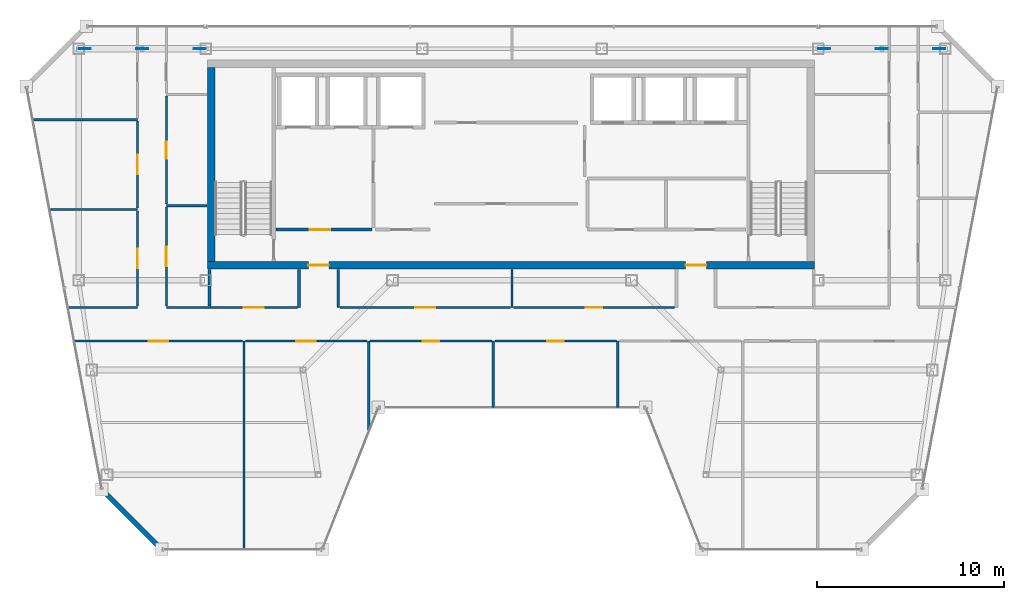
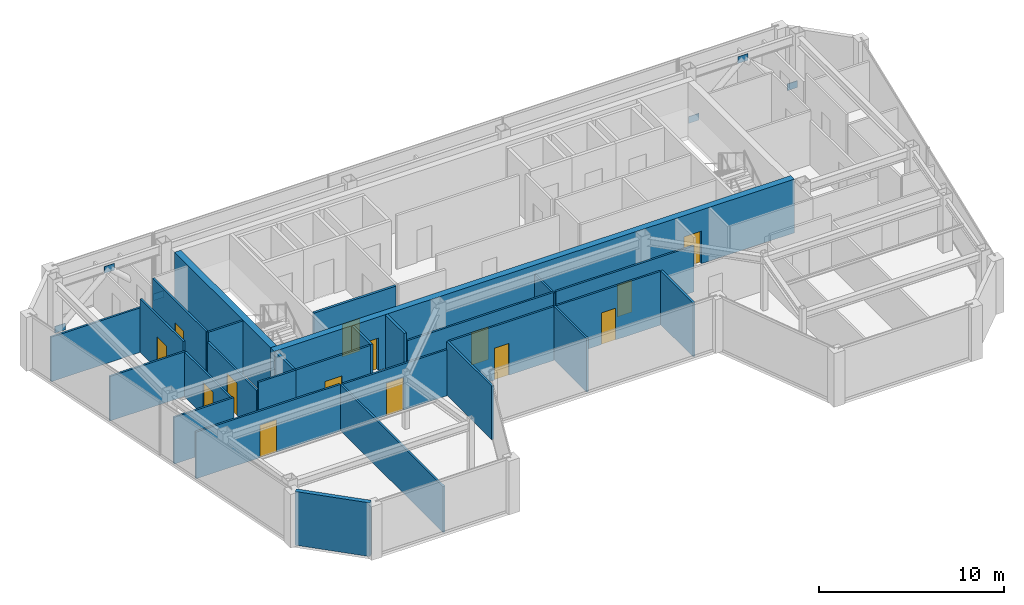
# One storey, part 18 of 23: 28 walls, 14 doors, 6 plates, 14 openings.
"""IFC4 building model written with IfcOpenShell, lengths in metres."""

from ifc_helpers import new_model, si_unit, direction, frame, frame_2d, origin, origin_2d, place, context, subcontext, project, spatial, rectangle, extrude, material, layer, layer_set, type_object, element, fill, save


model = new_model("IFC4")

# Units and contexts
model_context = context("Model", 3, precision=1e-05, world=origin(), true_north=direction((0.0, 1.0)))
body_context = subcontext(model_context, "Body", "Model", "MODEL_VIEW")
ifc_project = project(units=[si_unit("LENGTHUNIT", "METRE"), si_unit("AREAUNIT", "SQUARE_METRE"), si_unit("VOLUMEUNIT", "CUBIC_METRE"), si_unit("PLANEANGLEUNIT", "RADIAN"), si_unit("MASSUNIT", "GRAM", prefix="KILO")], contexts=[model_context])

# Site, building, storey
site_placement = place(None, origin())
site = spatial("IfcSite", under=ifc_project, at=site_placement, CompositionType="ELEMENT")
building_placement = place(site_placement, origin())
building = spatial("IfcBuilding", under=site, at=building_placement, Name="Saevonmaru Cultural Tower", CompositionType="ELEMENT")
storey_placement = place(building_placement, frame((0.0, 0.0, 283.800048828125)))
storey = spatial("IfcBuildingStorey", under=building, at=storey_placement, Name="L67", CompositionType="ELEMENT", Elevation=283.800048828125)

# Plates
ifc_material_1 = material(Name="Steel HSA600 (600 MPa)", Category="steel")
ifc_layer_1 = layer(ifc_material_1, 0.0400390625, Name="Steel HSA600 (600 MPa)")
ifc_layer_set_1 = layer_set([ifc_layer_1], Name="Steel HSA600 (600 MPa)")
plate_type = type_object("IfcPlateType", Name="PL-GUSSET-EXT", PredefinedType="USERDEFINED", material=ifc_layer_set_1)
for number, where, z_axis, x_axis, name in (
    (1, (10.199951171875, 54.800048828125, 2.89990234375), (0.0, 0.0, 1.0), (1.0, 0.0, 0.0), "L67 Perimeter Tube Gusset Plate"),
    (2, (7.1201171875, 54.800048828125, 0.02001953125), (0.0, 0.0, 1.0), (1.0, 0.0, 0.0), "L67 Perimeter Tube Gusset Plate"),
    (3, (13.280029296875, 54.800048828125, 0.02001953125), (0.0, 0.0, 1.0), (1.0, 0.0, 0.0), "L67 Perimeter Tube Gusset Plate"),
    (4, (49.800048828125, 54.800048828125, 2.89990234375), (0.0, 0.0, 1.0), (1.0, 0.0, 0.0), "L67 Perimeter Tube Gusset Plate"),
    (5, (46.719970703125, 54.800048828125, 0.02001953125), (0.0, 0.0, 1.0), (1.0, 0.0, 0.0), "L67 Perimeter Tube Gusset Plate"),
    (6, (52.8798828125, 54.800048828125, 0.02001953125), (0.0, 0.0, 1.0), (1.0, 0.0, 0.0), "L67 Perimeter Tube Gusset Plate"),
):
    element("IfcPlate", number, at=place(storey_placement, frame(where, z_axis=z_axis, x_axis=x_axis)), inside=storey, type_object=plate_type, Name=name, ObjectType="GUSSET_PLATE", PredefinedType="USERDEFINED", context=body_context, shape_type="SweptSolid", body=[
        extrude(rectangle(XDim=0.639892578125, YDim=0.0400390625, at=origin_2d()), origin(), (0.0, 0.0, 1.0), 0.43994140625),
    ])

# Wall, openings, doors
ifc_material_2 = material(Name="Concrete C50/60", Category="concrete")
ifc_layer_2 = layer(ifc_material_2, 0.39990234375, Name="Concrete C50/60")
ifc_layer_set_2 = layer_set([ifc_layer_2], Name="Concrete C50/60")
wall_type_1 = type_object("IfcWallType", Name="WL-CORE-400", PredefinedType="SHEAR", material=ifc_layer_set_2)
wall_1_placement = place(storey_placement, frame((13.699951171875, 43.199951171875, 0.0), z_axis=(0.0, 0.0, 1.0), x_axis=(1.0, 0.0, 0.0)))
wall_1 = element("IfcWall", 7, at=wall_1_placement, inside=storey, type_object=wall_type_1, Name="L67 Tower RC core shear wall S", PredefinedType="SHEAR", context=body_context, shape_type="SweptSolid", body=[
    extrude(rectangle(XDim=32.5, YDim=0.39990234375, at=frame_2d((16.25, 0.0))), origin(), (0.0, 0.0, 1.0), 3.550048828125),
])
opening_1_placement = place(wall_1_placement, frame((5.39990234375, 0.0, 0.0)))
opening_1 = element("IfcOpeningElement", 8, at=opening_1_placement, cuts=wall_1, Name="Opening FD-2", PredefinedType="OPENING", context=body_context, shape_type="SweptSolid", body=[
    extrude(rectangle(XDim=1.10009765625, YDim=2.14990234375, at=frame_2d((0.550048828125, 1.074951171875))), frame((0.0, 0.2099609375, 0.0), z_axis=(0.0, -1.0, 0.0), x_axis=(1.0, 0.0, 0.0)), (0.0, 0.0, 1.0), 0.419921875),
])
opening_2_placement = place(wall_1_placement, frame((25.60009765625, 0.0, 0.0)))
opening_2 = element("IfcOpeningElement", 9, at=opening_2_placement, cuts=wall_1, Name="Opening FD-2", PredefinedType="OPENING", context=body_context, shape_type="SweptSolid", body=[
    extrude(rectangle(XDim=1.10009765625, YDim=2.14990234375, at=frame_2d((0.550048828125, 1.074951171875))), frame((0.0, 0.2099609375, 0.0), z_axis=(0.0, -1.0, 0.0), x_axis=(1.0, 0.0, 0.0)), (0.0, 0.0, 1.0), 0.419921875),
])
ifc_material_3 = material(Name="Satin Bronze Anodised Aluminium", Category="aluminium")
door_type_1 = type_object("IfcDoorType", Name="DR-FD60-1100", OperationType="SINGLE_SWING_LEFT", PredefinedType="DOOR", material=ifc_material_3)
door_1_placement = place(opening_1_placement, origin())
door_1 = element("IfcDoor", 10, at=door_1_placement, inside=storey, type_object=door_type_1, Name="L67 Core West Lobby Fire Door", OperationType="SINGLE_SWING_LEFT", OverallHeight=2.14990234375, OverallWidth=1.10009765625, PredefinedType="DOOR", context=body_context, shape_type="SweptSolid", body=[
    extrude(rectangle(XDim=1.10009765625, YDim=2.14990234375, at=frame_2d((0.550048828125, 1.074951171875))), frame((0.0, 0.02490234375, 0.0), z_axis=(0.0, -1.0, 0.0), x_axis=(1.0, 0.0, 0.0)), (0.0, 0.0, 1.0), 0.050048828125),
])
fill(opening_1, door_1)
door_2_placement = place(opening_2_placement, origin())
door_2 = element("IfcDoor", 11, at=door_2_placement, inside=storey, type_object=door_type_1, Name="L67 Core East Lobby Fire Door", OperationType="SINGLE_SWING_LEFT", OverallHeight=2.14990234375, OverallWidth=1.10009765625, PredefinedType="DOOR", context=body_context, shape_type="SweptSolid", body=[
    extrude(rectangle(XDim=1.10009765625, YDim=2.14990234375, at=frame_2d((0.550048828125, 1.074951171875))), frame((0.0, 0.02490234375, 0.0), z_axis=(0.0, -1.0, 0.0), x_axis=(1.0, 0.0, 0.0)), (0.0, 0.0, 1.0), 0.050048828125),
])
fill(opening_2, door_2)

# Wall
wall_2_placement = place(storey_placement, frame((13.89990234375, 43.39990234375, 0.0), z_axis=(0.0, 0.0, 1.0), x_axis=(0.0, 1.0, 0.0)))
element("IfcWall", 12, at=wall_2_placement, inside=storey, type_object=wall_type_1, Name="L67 Tower RC core shear wall W", PredefinedType="SHEAR", context=body_context, shape_type="SweptSolid", body=[
    extrude(rectangle(XDim=10.400146484375, YDim=0.39990234375, at=frame_2d((5.2001953125, 0.0))), origin(), (0.0, 0.0, 1.0), 3.550048828125),
])

# Wall, opening, door
ifc_material_4 = material(Name="Gypsum Fireboard Partition", Category="gypsum")
ifc_layer_3 = layer(ifc_material_4, 0.14990234375, Name="Gypsum Fireboard Partition")
ifc_layer_set_3 = layer_set([ifc_layer_3], Name="Gypsum Fireboard Partition")
wall_type_2 = type_object("IfcWallType", Name="WL-CORE-PART-150", PredefinedType="PARTITIONING", material=ifc_layer_set_3)
wall_3_placement = place(storey_placement, frame((17.360107421875, 45.1201171875, 0.0), z_axis=(0.0, 0.0, 1.0), x_axis=(1.0, 0.0, 0.0)))
wall_3 = element("IfcWall", 13, at=wall_3_placement, inside=storey, type_object=wall_type_2, Name="L67 Firefighting Lift Lobby South Wall", PredefinedType="PARTITIONING", context=body_context, shape_type="SweptSolid", body=[
    extrude(rectangle(XDim=5.139892578125, YDim=0.14990234375, at=frame_2d((2.56982421875, 0.0))), origin(), (0.0, 0.0, 1.0), 3.550048828125),
])
opening_3_placement = place(wall_3_placement, frame((1.800048828125, 0.0, 0.0)))
opening_3 = element("IfcOpeningElement", 14, at=opening_3_placement, cuts=wall_3, Name="Opening FD-2", PredefinedType="OPENING", context=body_context, shape_type="SweptSolid", body=[
    extrude(rectangle(XDim=1.10009765625, YDim=2.14990234375, at=frame_2d((0.550048828125, 1.074951171875))), frame((0.0, 0.0849609375, 0.0), z_axis=(0.0, -1.0, 0.0), x_axis=(1.0, 0.0, 0.0)), (0.0, 0.0, 1.0), 0.169921875),
])
door_3_placement = place(opening_3_placement, origin())
door_3 = element("IfcDoor", 15, at=door_3_placement, inside=storey, type_object=door_type_1, Name="L67 Firefighting Lift Lobby South Door", OperationType="SINGLE_SWING_LEFT", OverallHeight=2.14990234375, OverallWidth=1.10009765625, PredefinedType="DOOR", context=body_context, shape_type="SweptSolid", body=[
    extrude(rectangle(XDim=1.10009765625, YDim=2.14990234375, at=frame_2d((0.550048828125, 1.074951171875))), frame((0.0, 0.02490234375, 0.0), z_axis=(0.0, -1.0, 0.0), x_axis=(1.0, 0.0, 0.0)), (0.0, 0.0, 1.0), 0.050048828125),
])
fill(opening_3, door_3)

# Walls
ifc_material_5 = material(Name="Granite-Clad Precast Concrete C40/50", Category="masonry")
ifc_layer_4 = layer(ifc_material_5, 0.260009765625, Name="Granite-Clad Precast Concrete C40/50")
ifc_layer_set_4 = layer_set([ifc_layer_4], Name="Granite-Clad Precast Concrete C40/50")
wall_type_3 = type_object("IfcWallType", Name="WL-EXT-SPANDREL-260", PredefinedType="STANDARD", material=ifc_layer_set_4)
wall_4_placement = place(storey_placement, frame((8.157470703125, 31.0869140625, 0.0), z_axis=(0.0, 0.0, 1.0), x_axis=(0.707106781187, -0.707106781187, 0.0)))
element("IfcWall", 16, at=wall_4_placement, inside=storey, type_object=wall_type_3, Name="L67 Chamfer Corner Spandrel Wall E1", PredefinedType="STANDARD", context=body_context, shape_type="SweptSolid", body=[
    extrude(rectangle(XDim=4.205810546875, YDim=0.260009765625, at=frame_2d((2.10302734375, 0.0))), origin(), (0.0, 0.0, 1.0), 3.550048828125),
])
ifc_layer_5 = layer(ifc_material_4, 0.14990234375, Name="Gypsum Fireboard Partition")
ifc_layer_set_5 = layer_set([ifc_layer_5], Name="Gypsum Fireboard Partition")
wall_type_4 = type_object("IfcWallType", Name="WL-PART-FIRE-150", PredefinedType="PARTITIONING", material=ifc_layer_set_5)
wall_5_placement = place(storey_placement, frame((13.800048828125, 41.030029296875, 0.0), z_axis=(0.0, 0.0, 1.0), x_axis=(0.0, 1.0, 0.0)))
element("IfcWall", 17, at=wall_5_placement, inside=storey, type_object=wall_type_4, Name="L67 Core Portal Side Wall W0", PredefinedType="PARTITIONING", context=body_context, shape_type="SweptSolid", body=[
    extrude(rectangle(XDim=1.949951171875, YDim=0.14990234375, at=frame_2d((0.97509765625, 0.0))), origin(), (0.0, 0.0, 1.0), 3.550048828125),
])
for number, where, z_axis, x_axis, name in (
    (18, (18.60009765625, 40.949951171875, 0.0), (0.0, 0.0, 1.0), (0.0, 1.0, 0.0), "L67 Core Portal Side Wall W1"),
    (19, (20.699951171875, 40.949951171875, 0.0), (0.0, 0.0, 1.0), (0.0, 1.0, 0.0), "L67 Core Portal Side Wall W2"),
):
    element("IfcWall", number, at=place(storey_placement, frame(where, z_axis=z_axis, x_axis=x_axis)), inside=storey, type_object=wall_type_4, Name=name, PredefinedType="PARTITIONING", context=body_context, shape_type="SweptSolid", body=[
        extrude(rectangle(XDim=2.030029296875, YDim=0.14990234375, at=frame_2d((1.01513671875, 0.0))), origin(), (0.0, 0.0, 1.0), 3.550048828125),
    ])
ifc_layer_6 = layer(ifc_material_4, 0.1201171875, Name="Gypsum Fireboard Partition")
ifc_layer_set_6 = layer_set([ifc_layer_6], Name="Gypsum Fireboard Partition")
wall_type_5 = type_object("IfcWallType", Name="WL-PART-GYP-120", PredefinedType="PARTITIONING", material=ifc_layer_set_6)
wall_6_placement = place(storey_placement, frame((6.223876953125, 40.949951171875, 0.0), z_axis=(0.0, 0.0, 1.0), x_axis=(1.0, 0.0, 0.0)))
element("IfcWall", 20, at=wall_6_placement, inside=storey, type_object=wall_type_5, Name="L67 NW Wing South Wall", PredefinedType="PARTITIONING", context=body_context, shape_type="SweptSolid", body=[
    extrude(rectangle(XDim=3.72607421875, YDim=0.1201171875, at=frame_2d((1.863037109375, 0.0))), origin(), (0.0, 0.0, 1.0), 3.0849609375),
])
wall_7_placement = place(storey_placement, frame((11.5, 40.949951171875, 0.0), z_axis=(0.0, 0.0, 1.0), x_axis=(1.0, 0.0, 0.0)))
element("IfcWall", 21, at=wall_7_placement, inside=storey, type_object=wall_type_5, Name="L67 NW Inner South Wall", PredefinedType="PARTITIONING", context=body_context, shape_type="SweptSolid", body=[
    extrude(rectangle(XDim=2.35009765625, YDim=0.1201171875, at=frame_2d((1.175048828125, 0.0))), origin(), (0.0, 0.0, 1.0), 3.550048828125),
])
wall_8_placement = place(storey_placement, frame((5.240966796875, 46.199951171875, 0.0), z_axis=(0.0, 0.0, 1.0), x_axis=(1.0, 0.0, 0.0)))
element("IfcWall", 22, at=wall_8_placement, inside=storey, type_object=wall_type_5, Name="L67 NW Studio Divider 1", PredefinedType="PARTITIONING", context=body_context, shape_type="SweptSolid", body=[
    extrude(rectangle(XDim=4.708984375, YDim=0.1201171875, at=frame_2d((2.3544921875, 0.0))), origin(), (0.0, 0.0, 1.0), 2.947021484375),
])
wall_9_placement = place(storey_placement, frame((4.342041015625, 51.0, 0.0), z_axis=(0.0, 0.0, 1.0), x_axis=(1.0, 0.0, 0.0)))
element("IfcWall", 23, at=wall_9_placement, inside=storey, type_object=wall_type_5, Name="L67 NW Studio Divider 2", PredefinedType="PARTITIONING", context=body_context, shape_type="SweptSolid", body=[
    extrude(rectangle(XDim=5.60791015625, YDim=0.1201171875, at=frame_2d((2.803955078125, 0.0))), origin(), (0.0, 0.0, 1.0), 2.947021484375),
])

# Wall, opening, door
wall_10_placement = place(storey_placement, frame((9.949951171875, 41.030029296875, 0.0), z_axis=(0.0, 0.0, 1.0), x_axis=(0.0, 1.0, 0.0)))
wall_10 = element("IfcWall", 24, at=wall_10_placement, inside=storey, type_object=wall_type_5, Name="L67 Rare Folio Reading Room Corridor Wall", PredefinedType="PARTITIONING", context=body_context, shape_type="SweptSolid", body=[
    extrude(rectangle(XDim=5.090087890625, YDim=0.1201171875, at=frame_2d((2.544921875, 0.0))), origin(), (0.0, 0.0, 1.0), 2.947021484375),
])
opening_4_placement = place(wall_10_placement, frame((2.02001953125, 0.0, 0.0)))
opening_4 = element("IfcOpeningElement", 25, at=opening_4_placement, cuts=wall_10, Name="Opening ID-1", PredefinedType="OPENING", context=body_context, shape_type="SweptSolid", body=[
    extrude(rectangle(XDim=1.050048828125, YDim=2.14990234375, at=frame_2d((0.52490234375, 1.074951171875))), frame((0.0, 0.070068359375, 0.0), z_axis=(0.0, -1.0, 0.0), x_axis=(1.0, 0.0, 0.0)), (0.0, 0.0, 1.0), 0.14013671875),
])
door_type_2 = type_object("IfcDoorType", Name="DR-INT-1050", OperationType="SINGLE_SWING_LEFT", PredefinedType="DOOR", material=ifc_material_3)
door_4_placement = place(opening_4_placement, origin())
door_4 = element("IfcDoor", 26, at=door_4_placement, inside=storey, type_object=door_type_2, Name="L67 Rare Folio Reading Room Door", OperationType="SINGLE_SWING_RIGHT", OverallHeight=2.14990234375, OverallWidth=1.050048828125, PredefinedType="DOOR", context=body_context, shape_type="SweptSolid", body=[
    extrude(rectangle(XDim=1.050048828125, YDim=2.14990234375, at=frame_2d((0.52490234375, 1.074951171875))), frame((0.0, 0.02490234375, 0.0), z_axis=(0.0, -1.0, 0.0), x_axis=(1.0, 0.0, 0.0)), (0.0, 0.0, 1.0), 0.050048828125),
])
fill(opening_4, door_4)

wall_11_placement = place(storey_placement, frame((9.949951171875, 46.280029296875, 0.0), z_axis=(0.0, 0.0, 1.0), x_axis=(0.0, 1.0, 0.0)))
wall_11 = element("IfcWall", 27, at=wall_11_placement, inside=storey, type_object=wall_type_5, Name="L67 Art History Reading Room Corridor Wall", PredefinedType="PARTITIONING", context=body_context, shape_type="SweptSolid", body=[
    extrude(rectangle(XDim=4.639892578125, YDim=0.1201171875, at=frame_2d((2.31982421875, 0.0))), origin(), (0.0, 0.0, 1.0), 3.550048828125),
])
opening_5_placement = place(wall_11_placement, frame((1.794921875, 0.0, 0.0)))
opening_5 = element("IfcOpeningElement", 28, at=opening_5_placement, cuts=wall_11, Name="Opening ID-1", PredefinedType="OPENING", context=body_context, shape_type="SweptSolid", body=[
    extrude(rectangle(XDim=1.050048828125, YDim=2.14990234375, at=frame_2d((0.52490234375, 1.074951171875))), frame((0.0, 0.070068359375, 0.0), z_axis=(0.0, -1.0, 0.0), x_axis=(1.0, 0.0, 0.0)), (0.0, 0.0, 1.0), 0.14013671875),
])
door_5_placement = place(opening_5_placement, origin())
door_5 = element("IfcDoor", 29, at=door_5_placement, inside=storey, type_object=door_type_2, Name="L67 Art History Reading Room Door", OperationType="SINGLE_SWING_LEFT", OverallHeight=2.14990234375, OverallWidth=1.050048828125, PredefinedType="DOOR", context=body_context, shape_type="SweptSolid", body=[
    extrude(rectangle(XDim=1.050048828125, YDim=2.14990234375, at=frame_2d((0.52490234375, 1.074951171875))), frame((0.0, 0.02490234375, 0.0), z_axis=(0.0, -1.0, 0.0), x_axis=(1.0, 0.0, 0.0)), (0.0, 0.0, 1.0), 0.050048828125),
])
fill(opening_5, door_5)

# Wall
wall_12_placement = place(storey_placement, frame((11.5, 46.39990234375, 0.0), z_axis=(0.0, 0.0, 1.0), x_axis=(1.0, 0.0, 0.0)))
element("IfcWall", 30, at=wall_12_placement, inside=storey, type_object=wall_type_5, Name="L67 NW Inner Divider", PredefinedType="PARTITIONING", context=body_context, shape_type="SweptSolid", body=[
    extrude(rectangle(XDim=2.179931640625, YDim=0.1201171875, at=frame_2d((1.08984375, 0.0))), origin(), (0.0, 0.0, 1.0), 3.550048828125),
])

# Wall, opening, door
wall_13_placement = place(storey_placement, frame((11.5, 41.030029296875, 0.0), z_axis=(0.0, 0.0, 1.0), x_axis=(0.0, 1.0, 0.0)))
wall_13 = element("IfcWall", 31, at=wall_13_placement, inside=storey, type_object=wall_type_5, Name="L67 Art History Reading Room Corridor Wall", PredefinedType="PARTITIONING", context=body_context, shape_type="SweptSolid", body=[
    extrude(rectangle(XDim=5.2900390625, YDim=0.1201171875, at=frame_2d((2.64501953125, 0.0))), origin(), (0.0, 0.0, 1.0), 2.947021484375),
])
opening_6_placement = place(wall_13_placement, frame((2.1201171875, 0.0, 0.0)))
opening_6 = element("IfcOpeningElement", 32, at=opening_6_placement, cuts=wall_13, Name="Opening ID-1", PredefinedType="OPENING", context=body_context, shape_type="SweptSolid", body=[
    extrude(rectangle(XDim=1.050048828125, YDim=2.14990234375, at=frame_2d((0.52490234375, 1.074951171875))), frame((0.0, 0.070068359375, 0.0), z_axis=(0.0, -1.0, 0.0), x_axis=(1.0, 0.0, 0.0)), (0.0, 0.0, 1.0), 0.14013671875),
])
door_6_placement = place(opening_6_placement, origin())
door_6 = element("IfcDoor", 33, at=door_6_placement, inside=storey, type_object=door_type_2, Name="L67 Art History Reading Room Door", OperationType="SINGLE_SWING_LEFT", OverallHeight=2.14990234375, OverallWidth=1.050048828125, PredefinedType="DOOR", context=body_context, shape_type="SweptSolid", body=[
    extrude(rectangle(XDim=1.050048828125, YDim=2.14990234375, at=frame_2d((0.52490234375, 1.074951171875))), frame((0.0, 0.02490234375, 0.0), z_axis=(0.0, -1.0, 0.0), x_axis=(1.0, 0.0, 0.0)), (0.0, 0.0, 1.0), 0.050048828125),
])
fill(opening_6, door_6)

wall_14_placement = place(storey_placement, frame((11.5, 46.47998046875, 0.0), z_axis=(0.0, 0.0, 1.0), x_axis=(0.0, 1.0, 0.0)))
wall_14 = element("IfcWall", 34, at=wall_14_placement, inside=storey, type_object=wall_type_5, Name="L67 Typography Design Classroom Corridor Wall", PredefinedType="PARTITIONING", context=body_context, shape_type="SweptSolid", body=[
    extrude(rectangle(XDim=5.7900390625, YDim=0.1201171875, at=frame_2d((2.89501953125, 0.0))), origin(), (0.0, 0.0, 1.0), 3.550048828125),
])
opening_7_placement = place(wall_14_placement, frame((2.445068359375, 0.0, 0.0)))
opening_7 = element("IfcOpeningElement", 35, at=opening_7_placement, cuts=wall_14, Name="Opening ID-2", PredefinedType="OPENING", context=body_context, shape_type="SweptSolid", body=[
    extrude(rectangle(XDim=0.89990234375, YDim=2.10009765625, at=frame_2d((0.449951171875, 1.050048828125))), frame((0.0, 0.070068359375, 0.0), z_axis=(0.0, -1.0, 0.0), x_axis=(1.0, 0.0, 0.0)), (0.0, 0.0, 1.0), 0.14013671875),
])
ifc_material_6 = material(Name="Acoustic Stained Oak Timber", Category="wood")
door_type_3 = type_object("IfcDoorType", Name="DR-INT-900", OperationType="SINGLE_SWING_RIGHT", PredefinedType="DOOR", material=ifc_material_6)
door_7_placement = place(opening_7_placement, origin())
door_7 = element("IfcDoor", 36, at=door_7_placement, inside=storey, type_object=door_type_3, Name="L67 Typography Design Classroom Door", OperationType="SINGLE_SWING_RIGHT", OverallHeight=2.10009765625, OverallWidth=0.89990234375, PredefinedType="DOOR", context=body_context, shape_type="SweptSolid", body=[
    extrude(rectangle(XDim=0.89990234375, YDim=2.10009765625, at=frame_2d((0.449951171875, 1.050048828125))), frame((0.0, 0.02490234375, 0.0), z_axis=(0.0, -1.0, 0.0), x_axis=(1.0, 0.0, 0.0)), (0.0, 0.0, 1.0), 0.050048828125),
])
fill(opening_7, door_7)

wall_15_placement = place(storey_placement, frame((13.85009765625, 40.949951171875, 0.0), z_axis=(0.0, 0.0, 1.0), x_axis=(1.0, 0.0, 0.0)))
wall_15 = element("IfcWall", 37, at=wall_15_placement, inside=storey, type_object=wall_type_5, Name="L67 Rare Folio Reading Room Corridor Wall", PredefinedType="PARTITIONING", context=body_context, shape_type="SweptSolid", body=[
    extrude(rectangle(XDim=4.65478515625, YDim=0.1201171875, at=frame_2d((2.327392578125, 0.0))), origin(), (0.0, 0.0, 1.0), 3.550048828125),
])
opening_8_placement = place(wall_15_placement, frame((1.802001953125, 0.0, 0.0)))
opening_8 = element("IfcOpeningElement", 38, at=opening_8_placement, cuts=wall_15, Name="Opening ID-1", PredefinedType="OPENING", context=body_context, shape_type="SweptSolid", body=[
    extrude(rectangle(XDim=1.050048828125, YDim=2.14990234375, at=frame_2d((0.52490234375, 1.074951171875))), frame((0.0, 0.070068359375, 0.0), z_axis=(0.0, -1.0, 0.0), x_axis=(1.0, 0.0, 0.0)), (0.0, 0.0, 1.0), 0.14013671875),
])
door_8_placement = place(opening_8_placement, origin())
door_8 = element("IfcDoor", 39, at=door_8_placement, inside=storey, type_object=door_type_2, Name="L67 Rare Folio Reading Room Door", OperationType="SINGLE_SWING_RIGHT", OverallHeight=2.14990234375, OverallWidth=1.050048828125, PredefinedType="DOOR", context=body_context, shape_type="SweptSolid", body=[
    extrude(rectangle(XDim=1.050048828125, YDim=2.14990234375, at=frame_2d((0.52490234375, 1.074951171875))), frame((0.0, 0.02490234375, 0.0), z_axis=(0.0, -1.0, 0.0), x_axis=(1.0, 0.0, 0.0)), (0.0, 0.0, 1.0), 0.050048828125),
])
fill(opening_8, door_8)

# Wall
wall_16_placement = place(storey_placement, frame((30.0, 40.949951171875, 0.0), z_axis=(0.0, 0.0, 1.0), x_axis=(0.0, 1.0, 0.0)))
element("IfcWall", 40, at=wall_16_placement, inside=storey, type_object=wall_type_5, Name="L67 Spine Alcove Split", PredefinedType="PARTITIONING", context=body_context, shape_type="SweptSolid", body=[
    extrude(rectangle(XDim=2.030029296875, YDim=0.1201171875, at=frame_2d((1.01513671875, 0.0))), origin(), (0.0, 0.0, 1.0), 2.947021484375),
])

# Wall, opening, door
wall_17_placement = place(storey_placement, frame((20.794921875, 40.949951171875, 0.0), z_axis=(0.0, 0.0, 1.0), x_axis=(1.0, 0.0, 0.0)))
wall_17 = element("IfcWall", 41, at=wall_17_placement, inside=storey, type_object=wall_type_5, Name="L67 Rare Folio Reading Room Corridor Wall", PredefinedType="PARTITIONING", context=body_context, shape_type="SweptSolid", body=[
    extrude(rectangle(XDim=9.125, YDim=0.1201171875, at=frame_2d((4.5625, 0.0))), origin(), (0.0, 0.0, 1.0), 3.046875),
])
opening_9_placement = place(wall_17_placement, frame((4.037109375, 0.0, 0.0)))
opening_9 = element("IfcOpeningElement", 42, at=opening_9_placement, cuts=wall_17, Name="Opening ID-1", PredefinedType="OPENING", context=body_context, shape_type="SweptSolid", body=[
    extrude(rectangle(XDim=1.050048828125, YDim=2.14990234375, at=frame_2d((0.52490234375, 1.074951171875))), frame((0.0, 0.070068359375, 0.0), z_axis=(0.0, -1.0, 0.0), x_axis=(1.0, 0.0, 0.0)), (0.0, 0.0, 1.0), 0.14013671875),
])
door_9_placement = place(opening_9_placement, origin())
door_9 = element("IfcDoor", 43, at=door_9_placement, inside=storey, type_object=door_type_2, Name="L67 Rare Folio Reading Room Door", OperationType="SINGLE_SWING_LEFT", OverallHeight=2.14990234375, OverallWidth=1.050048828125, PredefinedType="DOOR", context=body_context, shape_type="SweptSolid", body=[
    extrude(rectangle(XDim=1.050048828125, YDim=2.14990234375, at=frame_2d((0.52490234375, 1.074951171875))), frame((0.0, 0.02490234375, 0.0), z_axis=(0.0, -1.0, 0.0), x_axis=(1.0, 0.0, 0.0)), (0.0, 0.0, 1.0), 0.050048828125),
])
fill(opening_9, door_9)

wall_18_placement = place(storey_placement, frame((30.080078125, 40.949951171875, 0.0), z_axis=(0.0, 0.0, 1.0), x_axis=(1.0, 0.0, 0.0)))
wall_18 = element("IfcWall", 44, at=wall_18_placement, inside=storey, type_object=wall_type_5, Name="L67 Curatorial Board Meeting Room Corridor Wall", PredefinedType="PARTITIONING", context=body_context, shape_type="SweptSolid", body=[
    extrude(rectangle(XDim=8.625, YDim=0.1201171875, at=frame_2d((4.3125, 0.0))), origin(), (0.0, 0.0, 1.0), 3.046875),
])
opening_10_placement = place(wall_18_placement, frame((3.862060546875, 0.0, 0.0)))
opening_10 = element("IfcOpeningElement", 45, at=opening_10_placement, cuts=wall_18, Name="Opening ID-2", PredefinedType="OPENING", context=body_context, shape_type="SweptSolid", body=[
    extrude(rectangle(XDim=0.89990234375, YDim=2.10009765625, at=frame_2d((0.449951171875, 1.050048828125))), frame((0.0, 0.070068359375, 0.0), z_axis=(0.0, -1.0, 0.0), x_axis=(1.0, 0.0, 0.0)), (0.0, 0.0, 1.0), 0.14013671875),
])
door_10_placement = place(opening_10_placement, origin())
door_10 = element("IfcDoor", 46, at=door_10_placement, inside=storey, type_object=door_type_3, Name="L67 Curatorial Board Meeting Room Door", OperationType="SINGLE_SWING_RIGHT", OverallHeight=2.10009765625, OverallWidth=0.89990234375, PredefinedType="DOOR", context=body_context, shape_type="SweptSolid", body=[
    extrude(rectangle(XDim=0.89990234375, YDim=2.10009765625, at=frame_2d((0.449951171875, 1.050048828125))), frame((0.0, 0.02490234375, 0.0), z_axis=(0.0, -1.0, 0.0), x_axis=(1.0, 0.0, 0.0)), (0.0, 0.0, 1.0), 0.050048828125),
])
fill(opening_10, door_10)

# Walls
wall_19_placement = place(storey_placement, frame((15.64990234375, 28.0048828125, 0.0), z_axis=(0.0, 0.0, 1.0), x_axis=(0.0, 1.0, 0.0)))
element("IfcWall", 47, at=wall_19_placement, inside=storey, type_object=wall_type_5, Name="L67 Observatory Bay Divider 1", PredefinedType="PARTITIONING", context=body_context, shape_type="SweptSolid", body=[
    extrude(rectangle(XDim=11.14501953125, YDim=0.1201171875, at=frame_2d((5.572509765625, 0.0))), origin(), (0.0, 0.0, 1.0), 3.046875),
])
wall_20_placement = place(storey_placement, frame((29.0, 35.60498046875, 0.0), z_axis=(0.0, 0.0, 1.0), x_axis=(0.0, 1.0, 0.0)))
element("IfcWall", 48, at=wall_20_placement, inside=storey, type_object=wall_type_5, Name="L67 Observatory Bay Divider 3", PredefinedType="PARTITIONING", context=body_context, shape_type="SweptSolid", body=[
    extrude(rectangle(XDim=3.544921875, YDim=0.1201171875, at=frame_2d((1.7724609375, 0.0))), origin(), (0.0, 0.0, 1.0), 3.550048828125),
])

# Wall, opening, door
wall_21_placement = place(storey_placement, frame((6.560791015625, 39.14990234375, 0.0), z_axis=(0.0, 0.0, 1.0), x_axis=(1.0, 0.0, 0.0)))
wall_21 = element("IfcWall", 49, at=wall_21_placement, inside=storey, type_object=wall_type_5, Name="L67 Rare Folio Reading Room Corridor Wall", PredefinedType="PARTITIONING", context=body_context, shape_type="SweptSolid", body=[
    extrude(rectangle(XDim=9.00927734375, YDim=0.1201171875, at=frame_2d((4.504638671875, 0.0))), origin(), (0.0, 0.0, 1.0), 3.0849609375),
])
opening_11_placement = place(wall_21_placement, frame((3.97998046875, 0.0, 0.0)))
opening_11 = element("IfcOpeningElement", 50, at=opening_11_placement, cuts=wall_21, Name="Opening ID-1", PredefinedType="OPENING", context=body_context, shape_type="SweptSolid", body=[
    extrude(rectangle(XDim=1.050048828125, YDim=2.14990234375, at=frame_2d((0.52490234375, 1.074951171875))), frame((0.0, 0.070068359375, 0.0), z_axis=(0.0, -1.0, 0.0), x_axis=(1.0, 0.0, 0.0)), (0.0, 0.0, 1.0), 0.14013671875),
])
door_11_placement = place(opening_11_placement, origin())
door_11 = element("IfcDoor", 51, at=door_11_placement, inside=storey, type_object=door_type_2, Name="L67 Rare Folio Reading Room Door", OperationType="SINGLE_SWING_RIGHT", OverallHeight=2.14990234375, OverallWidth=1.050048828125, PredefinedType="DOOR", context=body_context, shape_type="SweptSolid", body=[
    extrude(rectangle(XDim=1.050048828125, YDim=2.14990234375, at=frame_2d((0.52490234375, 1.074951171875))), frame((0.0, 0.02490234375, 0.0), z_axis=(0.0, -1.0, 0.0), x_axis=(1.0, 0.0, 0.0)), (0.0, 0.0, 1.0), 0.050048828125),
])
fill(opening_11, door_11)

wall_22_placement = place(storey_placement, frame((15.72998046875, 39.14990234375, 0.0), z_axis=(0.0, 0.0, 1.0), x_axis=(1.0, 0.0, 0.0)))
wall_22 = element("IfcWall", 52, at=wall_22_placement, inside=storey, type_object=wall_type_5, Name="L67 Art History Reading Room Corridor Wall", PredefinedType="PARTITIONING", context=body_context, shape_type="SweptSolid", body=[
    extrude(rectangle(XDim=6.50244140625, YDim=0.1201171875, at=frame_2d((3.251220703125, 0.0))), origin(), (0.0, 0.0, 1.0), 3.046875),
])
opening_12_placement = place(wall_22_placement, frame((2.72607421875, 0.0, 0.0)))
opening_12 = element("IfcOpeningElement", 53, at=opening_12_placement, cuts=wall_22, Name="Opening ID-1", PredefinedType="OPENING", context=body_context, shape_type="SweptSolid", body=[
    extrude(rectangle(XDim=1.050048828125, YDim=2.14990234375, at=frame_2d((0.52490234375, 1.074951171875))), frame((0.0, 0.070068359375, 0.0), z_axis=(0.0, -1.0, 0.0), x_axis=(1.0, 0.0, 0.0)), (0.0, 0.0, 1.0), 0.14013671875),
])
door_12_placement = place(opening_12_placement, origin())
door_12 = element("IfcDoor", 54, at=door_12_placement, inside=storey, type_object=door_type_2, Name="L67 Art History Reading Room Door", OperationType="SINGLE_SWING_LEFT", OverallHeight=2.14990234375, OverallWidth=1.050048828125, PredefinedType="DOOR", context=body_context, shape_type="SweptSolid", body=[
    extrude(rectangle(XDim=1.050048828125, YDim=2.14990234375, at=frame_2d((0.52490234375, 1.074951171875))), frame((0.0, 0.02490234375, 0.0), z_axis=(0.0, -1.0, 0.0), x_axis=(1.0, 0.0, 0.0)), (0.0, 0.0, 1.0), 0.050048828125),
])
fill(opening_12, door_12)

wall_23_placement = place(storey_placement, frame((22.407470703125, 39.14990234375, 0.0), z_axis=(0.0, 0.0, 1.0), x_axis=(1.0, 0.0, 0.0)))
wall_23 = element("IfcWall", 55, at=wall_23_placement, inside=storey, type_object=wall_type_5, Name="L67 Typography Design Classroom Corridor Wall", PredefinedType="PARTITIONING", context=body_context, shape_type="SweptSolid", body=[
    extrude(rectangle(XDim=6.512451171875, YDim=0.1201171875, at=frame_2d((3.25634765625, 0.0))), origin(), (0.0, 0.0, 1.0), 3.550048828125),
])
opening_13_placement = place(wall_23_placement, frame((2.805908203125, 0.0, 0.0)))
opening_13 = element("IfcOpeningElement", 56, at=opening_13_placement, cuts=wall_23, Name="Opening ID-2", PredefinedType="OPENING", context=body_context, shape_type="SweptSolid", body=[
    extrude(rectangle(XDim=0.89990234375, YDim=2.10009765625, at=frame_2d((0.449951171875, 1.050048828125))), frame((0.0, 0.070068359375, 0.0), z_axis=(0.0, -1.0, 0.0), x_axis=(1.0, 0.0, 0.0)), (0.0, 0.0, 1.0), 0.14013671875),
])
door_13_placement = place(opening_13_placement, origin())
door_13 = element("IfcDoor", 57, at=door_13_placement, inside=storey, type_object=door_type_3, Name="L67 Typography Design Classroom Door", OperationType="SINGLE_SWING_RIGHT", OverallHeight=2.10009765625, OverallWidth=0.89990234375, PredefinedType="DOOR", context=body_context, shape_type="SweptSolid", body=[
    extrude(rectangle(XDim=0.89990234375, YDim=2.10009765625, at=frame_2d((0.449951171875, 1.050048828125))), frame((0.0, 0.02490234375, 0.0), z_axis=(0.0, -1.0, 0.0), x_axis=(1.0, 0.0, 0.0)), (0.0, 0.0, 1.0), 0.050048828125),
])
fill(opening_13, door_13)

wall_24_placement = place(storey_placement, frame((29.080078125, 39.14990234375, 0.0), z_axis=(0.0, 0.0, 1.0), x_axis=(1.0, 0.0, 0.0)))
wall_24 = element("IfcWall", 58, at=wall_24_placement, inside=storey, type_object=wall_type_5, Name="L67 Calligraphy Teaching Studio Corridor Wall", PredefinedType="PARTITIONING", context=body_context, shape_type="SweptSolid", body=[
    extrude(rectangle(XDim=6.50244140625, YDim=0.1201171875, at=frame_2d((3.251220703125, 0.0))), origin(), (0.0, 0.0, 1.0), 3.550048828125),
])
opening_14_placement = place(wall_24_placement, frame((2.801025390625, 0.0, 0.0)))
opening_14 = element("IfcOpeningElement", 59, at=opening_14_placement, cuts=wall_24, Name="Opening ID-2", PredefinedType="OPENING", context=body_context, shape_type="SweptSolid", body=[
    extrude(rectangle(XDim=0.89990234375, YDim=2.10009765625, at=frame_2d((0.449951171875, 1.050048828125))), frame((0.0, 0.070068359375, 0.0), z_axis=(0.0, -1.0, 0.0), x_axis=(1.0, 0.0, 0.0)), (0.0, 0.0, 1.0), 0.14013671875),
])
door_14_placement = place(opening_14_placement, origin())
door_14 = element("IfcDoor", 60, at=door_14_placement, inside=storey, type_object=door_type_3, Name="L67 Calligraphy Teaching Studio Door", OperationType="SINGLE_SWING_LEFT", OverallHeight=2.10009765625, OverallWidth=0.89990234375, PredefinedType="DOOR", context=body_context, shape_type="SweptSolid", body=[
    extrude(rectangle(XDim=0.89990234375, YDim=2.10009765625, at=frame_2d((0.449951171875, 1.050048828125))), frame((0.0, 0.02490234375, 0.0), z_axis=(0.0, -1.0, 0.0), x_axis=(1.0, 0.0, 0.0)), (0.0, 0.0, 1.0), 0.050048828125),
])
fill(opening_14, door_14)

# Walls
ifc_layer_7 = layer(ifc_material_4, 0.135009765625, Name="Gypsum Fireboard Partition")
ifc_layer_set_7 = layer_set([ifc_layer_7], Name="Gypsum Fireboard Partition")
wall_type_6 = type_object("IfcWallType", Name="WL-PART-GYP-135", PredefinedType="PARTITIONING", material=ifc_layer_set_7)
wall_25_placement = place(storey_placement, frame((22.320068359375, 34.28515625, 0.0), z_axis=(0.0, 0.0, 1.0), x_axis=(0.0, 1.0, 0.0)))
element("IfcWall", 61, at=wall_25_placement, inside=storey, type_object=wall_type_6, Name="L67 Observatory Bay Divider 2", PredefinedType="PARTITIONING", context=body_context, shape_type="SweptSolid", body=[
    extrude(rectangle(XDim=4.86474609375, YDim=0.135009765625, at=frame_2d((2.432373046875, 0.0))), origin(), (0.0, 0.0, 1.0), 3.550048828125),
])
wall_26_placement = place(storey_placement, frame((35.669921875, 35.60498046875, 0.0), z_axis=(0.0, 0.0, 1.0), x_axis=(0.0, 1.0, 0.0)))
element("IfcWall", 62, at=wall_26_placement, inside=storey, type_object=wall_type_6, Name="L67 Observatory Bay Divider 4", PredefinedType="PARTITIONING", context=body_context, shape_type="SweptSolid", body=[
    extrude(rectangle(XDim=3.544921875, YDim=0.135009765625, at=frame_2d((1.7724609375, 0.0))), origin(), (0.0, 0.0, 1.0), 3.550048828125),
])

save(model, "model.ifc")
